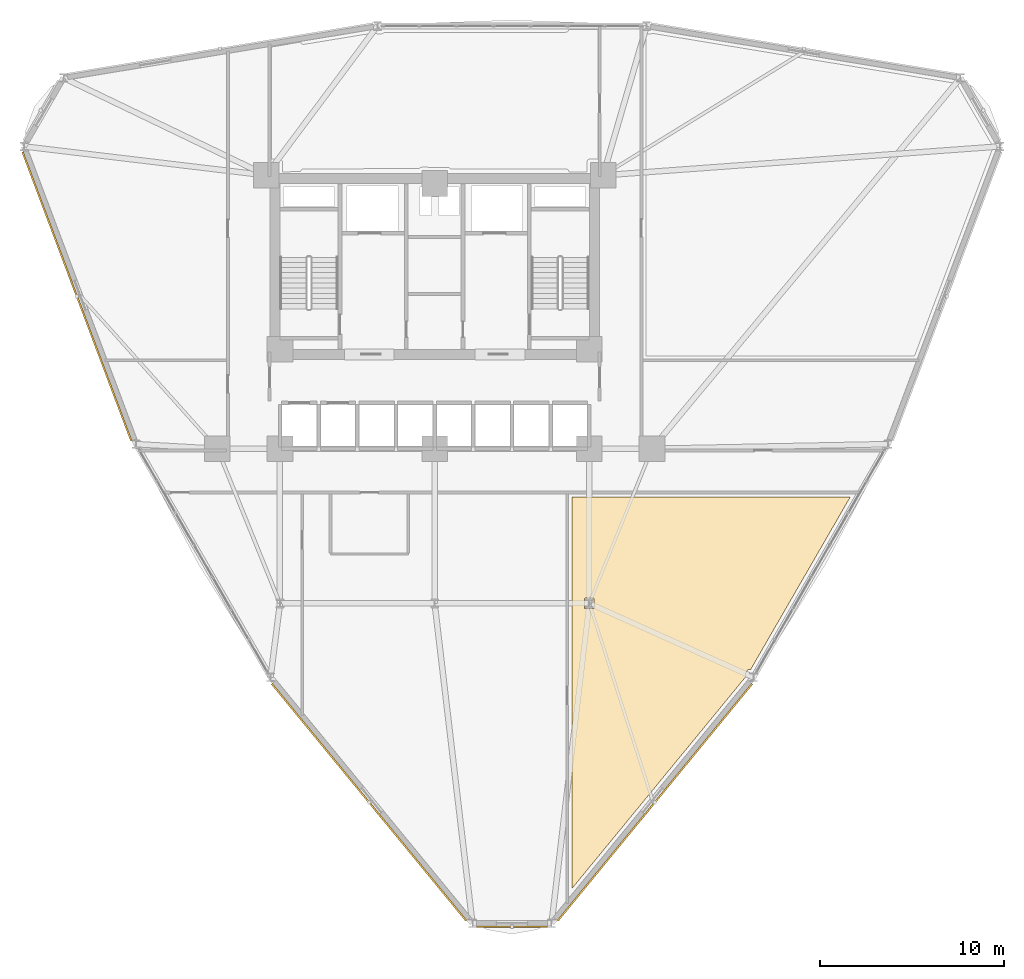
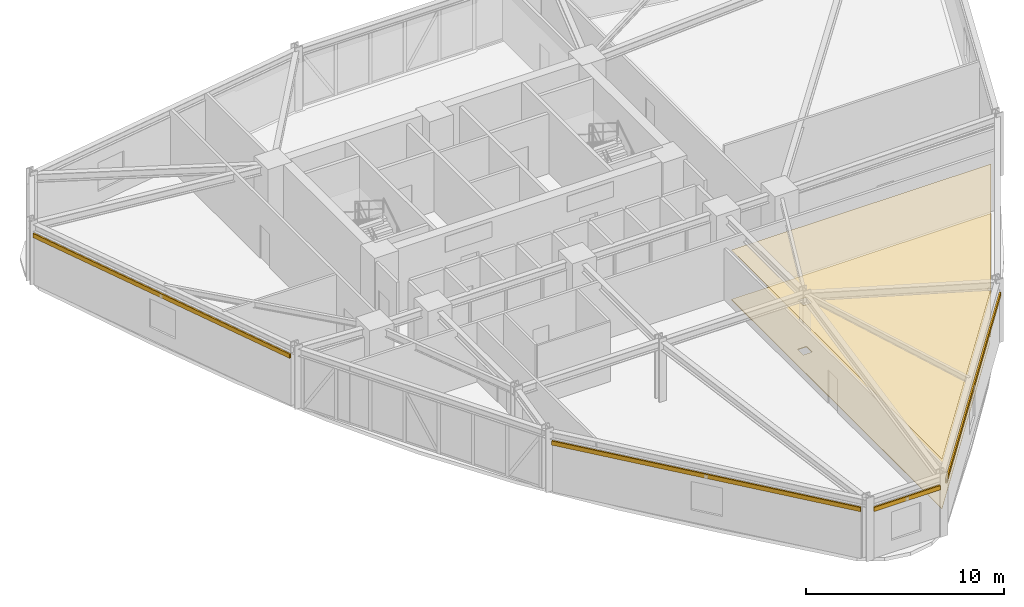
# One storey, part 18 of 20: 4 shading devices, 2 coverings.
"""IFC4 building model written with IfcOpenShell, lengths in metres."""

from ifc_helpers import new_model, si_unit, derived_unit, direction, frame, origin, origin_2d, place, context, subcontext, project, spatial, polyline, hollow_rectangle, outline, extrude, source, transform, mapped, material, layer, layer_set, material_profile, profile_set, type_object, element, save


model = new_model("IFC4")

# Units and contexts
model_context = context("Model", 3, precision=1e-05, world=origin(), true_north=direction((0.0, 1.0)))
body_context = subcontext(model_context, "Body", "Model", "MODEL_VIEW")
ifc_project = project(units=[si_unit("LENGTHUNIT", "METRE"), si_unit("AREAUNIT", "SQUARE_METRE"), si_unit("VOLUMEUNIT", "CUBIC_METRE"), si_unit("PLANEANGLEUNIT", "RADIAN"), si_unit("MASSUNIT", "GRAM", prefix="KILO"), derived_unit("THERMALTRANSMITTANCEUNIT", [(si_unit("POWERUNIT", "WATT"), 1), (si_unit("LENGTHUNIT", "METRE"), -2), (si_unit("THERMODYNAMICTEMPERATUREUNIT", "KELVIN"), -1)])], contexts=[model_context])

# Site, building, storey
site_placement = place(None, origin())
site = spatial("IfcSite", under=ifc_project, at=site_placement, CompositionType="ELEMENT")
building_placement = place(site_placement, origin())
building = spatial("IfcBuilding", under=site, at=building_placement, Name="Korsvarv Bourse and Concert Hall", CompositionType="ELEMENT")
storey_placement = place(building_placement, frame((0.0, 0.0, 91.199951171875)))
storey = spatial("IfcBuildingStorey", under=building, at=storey_placement, Name="L22", CompositionType="ELEMENT", Elevation=91.199951171875)

# Coverings
ifc_material_1 = material(Name="Perforated mineral-wool and birch acoustic baffle ceiling", Category="wood")
ifc_layer_1 = layer(ifc_material_1, 0.02490234375)
ifc_layer_set_1 = layer_set([ifc_layer_1], Name="Perforated mineral-wool and birch acoustic baffle ceiling")
covering_type_1 = type_object("IfcCoveringType", Name="COV-CEIL-1", PredefinedType="CEILING", material=ifc_layer_set_1)
covering_1_placement = place(storey_placement, frame((0.0, 0.0, 3.06005859375)))
element("IfcCovering", 1, at=covering_1_placement, inside=storey, type_object=covering_type_1, Name="L22 acoustic baffle ceiling 2", PredefinedType="CEILING", context=body_context, shape_type="SweptSolid", body=[
    extrude(outline(polyline([(53.097900390625, 20.418212890625), (53.063720703125, 20.4150390625), (53.030517578125, 20.4052734375), (53.0, 20.389404296875), (52.972900390625, 20.367919921875), (52.95068359375, 20.341796875), (52.93359375, 20.31201171875), (52.922607421875, 20.279296875), (52.91796875, 20.2451171875), (52.910400390625, 20.040283203125), (43.449951171875, 8.51220703125), (43.449951171875, 29.77001953125), (58.56298828125, 29.77001953125), (53.163818359375, 20.418212890625), (53.097900390625, 20.418212890625)]), holes=[polyline([(44.173583984375, 23.715087890625), (44.612060546875, 23.712890625), (44.635498046875, 23.718994140625), (44.653564453125, 23.735107421875), (44.661865234375, 23.758056640625), (44.662109375, 24.237060546875), (44.656005859375, 24.260498046875), (44.639892578125, 24.278564453125), (44.616943359375, 24.286865234375), (44.18798828125, 24.287109375), (44.164306640625, 24.281005859375), (44.146484375, 24.264892578125), (44.13818359375, 24.241943359375), (44.137939453125, 23.762939453125), (44.143798828125, 23.739501953125), (44.173583984375, 23.715087890625)])]), origin(), (0.0, 0.0, 1.0), 0.02490234375),
])
ifc_material_2 = material(Name="Calcium-sulphate raised access trading floor with Nordic oak top", Category="wood")
ifc_layer_2 = layer(ifc_material_2, 0.0400390625)
ifc_layer_set_2 = layer_set([ifc_layer_2], Name="Calcium-sulphate raised access trading floor with Nordic oak top")
covering_type_2 = type_object("IfcCoveringType", Name="COV-FLOR-1", PredefinedType="FLOORING", material=ifc_layer_set_2)
covering_2_placement = place(storey_placement, origin())
element("IfcCovering", 2, at=covering_2_placement, inside=storey, type_object=covering_type_2, Name="L22 raised access oak floor finish 2", PredefinedType="FLOORING", context=body_context, shape_type="SweptSolid", body=[
    extrude(outline(polyline([(53.097900390625, 20.418212890625), (53.063720703125, 20.4150390625), (53.030517578125, 20.4052734375), (53.0, 20.389404296875), (52.972900390625, 20.367919921875), (52.95068359375, 20.341796875), (52.93359375, 20.31201171875), (52.922607421875, 20.279296875), (52.91796875, 20.2451171875), (52.910400390625, 20.040283203125), (43.449951171875, 8.51220703125), (43.449951171875, 29.77001953125), (58.56298828125, 29.77001953125), (53.163818359375, 20.418212890625), (53.097900390625, 20.418212890625)]), holes=[polyline([(44.173583984375, 23.715087890625), (44.612060546875, 23.712890625), (44.635498046875, 23.718994140625), (44.653564453125, 23.735107421875), (44.661865234375, 23.758056640625), (44.662109375, 24.237060546875), (44.656005859375, 24.260498046875), (44.639892578125, 24.278564453125), (44.616943359375, 24.286865234375), (44.18798828125, 24.287109375), (44.164306640625, 24.281005859375), (44.146484375, 24.264892578125), (44.13818359375, 24.241943359375), (44.137939453125, 23.762939453125), (44.143798828125, 23.739501953125), (44.173583984375, 23.715087890625)])]), origin(), (0.0, 0.0, 1.0), 0.0400390625),
])

# Shading devices
ifc_material_3 = material(Name="Glazed extruded architectural terracotta", Category="ceramic")
ifc_material_profile = material_profile(ifc_material_3, hollow_rectangle(XDim=0.090087890625, YDim=0.260009765625, WallThickness=0.011962890625, at=origin_2d()), Name="TC-BAG 90x260")
ifc_profile_set = profile_set([ifc_material_profile], Name="Glazed extruded architectural terracotta")
shading_device_type = type_object("IfcShadingDeviceType", Name="SHD-BAG-1", PredefinedType="USERDEFINED", material=ifc_profile_set)
shared_shape_1 = source(origin(), body_context, "Body", "SweptSolid", [
    extrude(hollow_rectangle(XDim=0.090087890625, YDim=0.260009765625, WallThickness=0.011962890625, at=origin_2d()), origin(), (0.0, 0.0, 1.0), 16.7587890625),
])
shading_device_1_placement = place(storey_placement, frame((13.622314453125, 48.515869140625, 3.070068359375), z_axis=(0.352279020809, -0.935895021622, 0.0), x_axis=(0.935895021622, 0.352279020809, 0.0)))
element("IfcShadingDevice", 3, at=shading_device_1_placement, inside=storey, type_object=shading_device_type, Name="L22 terracotta baguette sunshade EW-L22-B06", ObjectType="BAGUETTE", PredefinedType="USERDEFINED", context=body_context, shape_type="MappedRepresentation", body=[
    mapped(shared_shape_1, transform((0.0, 0.0, 0.0), scale=1.0)),
])
shared_shape_2 = source(origin(), body_context, "Body", "SweptSolid", [
    extrude(hollow_rectangle(XDim=0.090087890625, YDim=0.260009765625, WallThickness=0.011962890625, at=origin_2d()), origin(), (0.0, 0.0, 1.0), 16.64990234375),
])
for number, where, z_axis, x_axis, name in (
    (4, (27.1533203125, 19.63818359375, 3.070068359375), (0.634372560511, -0.77302746036, 0.0), (0.77302746036, 0.634372560511, 0.0), "L22 terracotta baguette sunshade EW-L22-B08"),
    (5, (42.684326171875, 6.767333984375, 3.070068359375), (0.634372560511, 0.77302746036, 0.0), (-0.77302746036, 0.634372560511, 0.0), "L22 terracotta baguette sunshade EW-L22-B10"),
):
    element("IfcShadingDevice", number, at=place(storey_placement, frame(where, z_axis=z_axis, x_axis=x_axis)), inside=storey, type_object=shading_device_type, Name=name, ObjectType="BAGUETTE", PredefinedType="USERDEFINED", context=body_context, shape_type="MappedRepresentation", body=[
        mapped(shared_shape_2, transform((0.0, 0.0, 0.0), scale=1.0)),
    ])
shared_shape_3 = source(origin(), body_context, "Body", "SweptSolid", [
    extrude(hollow_rectangle(XDim=0.090087890625, YDim=0.260009765625, WallThickness=0.011962890625, at=origin_2d()), origin(), (0.0, 0.0, 1.0), 3.866943359375),
])
shading_device_2_placement = place(storey_placement, frame((38.2666015625, 6.451416015625, 3.070068359375), z_axis=(1.0, 0.0, 0.0), x_axis=(0.0, 1.0, 0.0)))
element("IfcShadingDevice", 6, at=shading_device_2_placement, inside=storey, type_object=shading_device_type, Name="L22 terracotta baguette sunshade EW-L22-B09", ObjectType="BAGUETTE", PredefinedType="USERDEFINED", context=body_context, shape_type="MappedRepresentation", body=[
    mapped(shared_shape_3, transform((0.0, 0.0, 0.0), scale=1.0)),
])

save(model, "model.ifc")
